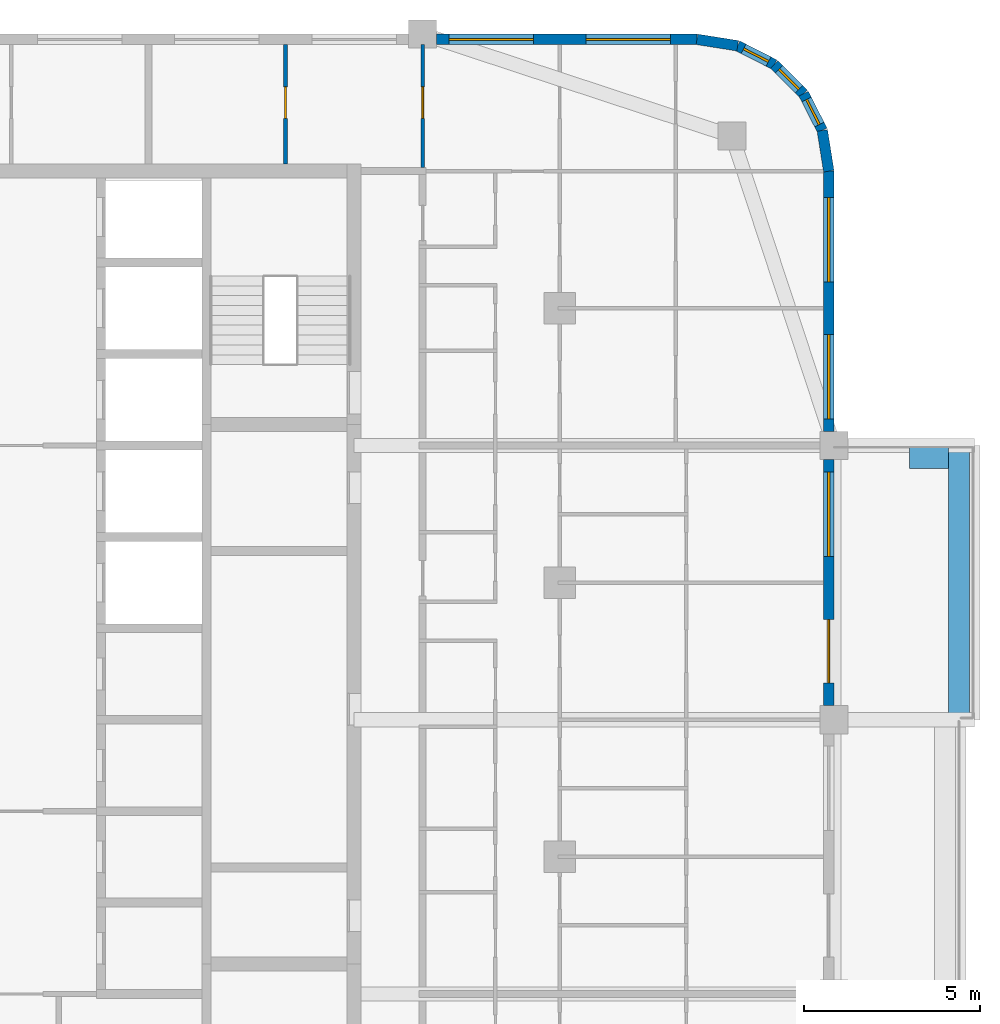
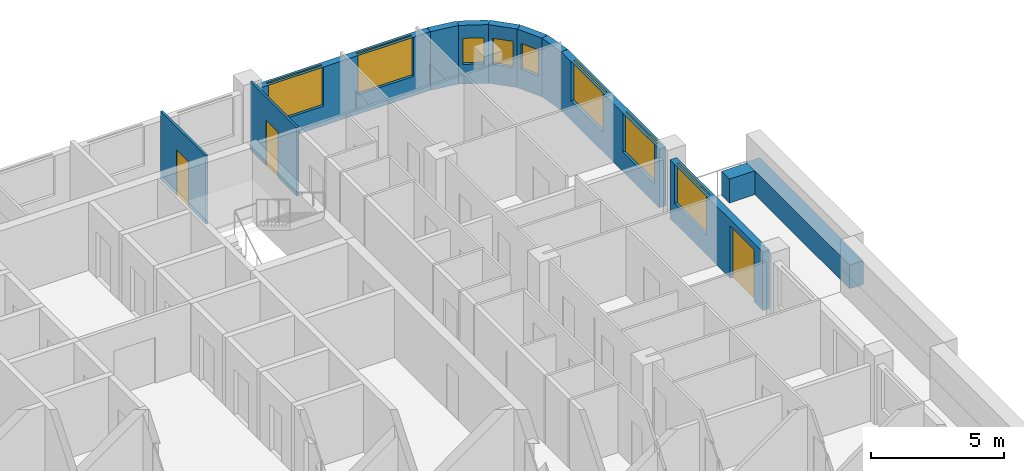
# One storey, part 12 of 17: 12 walls, 8 windows, 3 doors, 11 openings.
"""IFC4 building model written with IfcOpenShell, lengths in metres."""

from ifc_helpers import new_model, si_unit, direction, frame, frame_2d, origin, place, context, subcontext, project, spatial, rectangle, extrude, material, layer, layer_set, type_object, element, fill, save


model = new_model("IFC4")

# Units and contexts
model_context = context("Model", 3, precision=1e-05, world=origin(), true_north=direction((0.0, 1.0)))
body_context = subcontext(model_context, "Body", "Model", "MODEL_VIEW")
ifc_project = project(units=[si_unit("LENGTHUNIT", "METRE"), si_unit("AREAUNIT", "SQUARE_METRE"), si_unit("VOLUMEUNIT", "CUBIC_METRE"), si_unit("PLANEANGLEUNIT", "RADIAN"), si_unit("MASSUNIT", "GRAM", prefix="KILO")], contexts=[model_context])

# Site, building, storey
site_placement = place(None, origin())
site = spatial("IfcSite", under=ifc_project, at=site_placement, CompositionType="ELEMENT")
building_placement = place(site_placement, origin())
building = spatial("IfcBuilding", under=site, at=building_placement, Name="Ludao Terraces", CompositionType="ELEMENT")
storey_placement = place(building_placement, frame((0.0, 0.0, 231.300048828125)))
storey = spatial("IfcBuildingStorey", under=building, at=storey_placement, Name="L63", CompositionType="ELEMENT", Elevation=231.300048828125)

# Walls
ifc_material_1 = material(Name="Concrete C40", Category="concrete")
ifc_layer_1 = layer(ifc_material_1, 0.60009765625)
ifc_layer_set_1 = layer_set([ifc_layer_1], Name="ENV Planter trough 600")
wall_type_1 = type_object("IfcWallType", Name="ENV Planter trough 600", PredefinedType="USERDEFINED", material=ifc_layer_set_1)
wall_1_placement = place(storey_placement, frame((111.949951171875, 68.89990234375, 0.0), z_axis=(0.0, 0.0, 1.0), x_axis=(0.0, 1.0, 0.0)))
element("IfcWall", 1, at=wall_1_placement, inside=storey, type_object=wall_type_1, Name="PL-L63-E3", ObjectType="PLANTER", PredefinedType="USERDEFINED", context=body_context, shape_type="SweptSolid", body=[
    extrude(rectangle(XDim=7.800048828125, YDim=0.60009765625, at=frame_2d((3.89990234375, 0.0))), origin(), (0.0, 0.0, 1.0), 1.099853515625),
])
wall_2_placement = place(storey_placement, frame((111.64990234375, 76.35009765625, 0.0), z_axis=(0.0, 0.0, 1.0), x_axis=(-1.0, 0.0, 0.0)))
element("IfcWall", 2, at=wall_2_placement, inside=storey, type_object=wall_type_1, Name="PL-L63-E3-SB", ObjectType="PLANTER", PredefinedType="USERDEFINED", context=body_context, shape_type="SweptSolid", body=[
    extrude(rectangle(XDim=1.099853515625, YDim=0.60009765625, at=frame_2d((0.5498046875, 0.0))), origin(), (0.0, 0.0, 1.0), 1.099853515625),
])

# Wall, openings, door, window
ifc_material_2 = material(Name="Granite cladding", Category="masonry")
ifc_layer_2 = layer(ifc_material_2, 0.0400390625, Category="stone")
ifc_material_3 = material(Name="Mineral wool")
ifc_layer_3 = layer(ifc_material_3, 0.06005859375)
ifc_layer_4 = layer(ifc_material_1, 0.199951171875, Category="concrete")
ifc_layer_set_2 = layer_set([ifc_layer_2, ifc_layer_3, ifc_layer_4], Name="ENV Stone-clad wall 300")
wall_type_2 = type_object("IfcWallType", Name="ENV Stone-clad wall 300", PredefinedType="SOLIDWALL", material=ifc_layer_set_2)
wall_3_placement = place(storey_placement, frame((108.25, 69.300048828125, 0.0), z_axis=(0.0, 0.0, 1.0), x_axis=(0.0, 1.0, 0.0)))
wall_3 = element("IfcWall", 3, at=wall_3_placement, inside=storey, type_object=wall_type_2, Name="EW-L63-E4", PredefinedType="SOLIDWALL", context=body_context, shape_type="SweptSolid", body=[
    extrude(rectangle(XDim=7.0, YDim=0.300048828125, at=frame_2d((3.5, 0.0))), origin(), (0.0, 0.0, 1.0), 2.699951171875),
])
opening_1_placement = place(wall_3_placement, frame((0.64990234375, 0.0, 0.0)))
opening_1 = element("IfcOpeningElement", 4, at=opening_1_placement, cuts=wall_3, Name="Opening BD", PredefinedType="OPENING", context=body_context, shape_type="SweptSolid", body=[
    extrude(rectangle(XDim=1.800048828125, YDim=2.39990234375, at=frame_2d((0.89990234375, 1.199951171875))), frame((0.0, 0.16015625, 0.0), z_axis=(0.0, -1.0, 0.0), x_axis=(1.0, 0.0, 0.0)), (0.0, 0.0, 1.0), 0.320068359375),
])
opening_2_placement = place(wall_3_placement, frame((4.25, 0.0, 0.89990234375)))
opening_2 = element("IfcOpeningElement", 5, at=opening_2_placement, cuts=wall_3, Name="Opening W1", PredefinedType="OPENING", context=body_context, shape_type="SweptSolid", body=[
    extrude(rectangle(XDim=2.39990234375, YDim=1.800048828125, at=frame_2d((1.199951171875, 0.89990234375))), frame((0.0, 0.16015625, 0.0), z_axis=(0.0, -1.0, 0.0), x_axis=(1.0, 0.0, 0.0)), (0.0, 0.0, 1.0), 0.320068359375),
])
ifc_material_4 = material(Name="Aluminium glazed door", Category="aluminium")
ifc_layer_5 = layer(ifc_material_4, 0.06005859375)
ifc_layer_set_3 = layer_set([ifc_layer_5], Name="ENV Balcony door BD 1800x2400")
door_type_1 = type_object("IfcDoorType", Name="ENV Balcony door BD 1800x2400", OperationType="DOUBLE_DOOR_SINGLE_SWING", PredefinedType="DOOR", material=ifc_layer_set_3)
door_1_placement = place(opening_1_placement, origin())
door_1 = element("IfcDoor", 6, at=door_1_placement, inside=storey, type_object=door_type_1, Name="BD-L63-E4-1", OperationType="DOUBLE_DOOR_SINGLE_SWING", OverallHeight=2.39990234375, OverallWidth=1.800048828125, PredefinedType="DOOR", context=body_context, shape_type="SweptSolid", body=[
    extrude(rectangle(XDim=1.800048828125, YDim=2.39990234375, at=frame_2d((0.89990234375, 1.199951171875))), frame((0.0, 0.02490234375, 0.0), z_axis=(0.0, -1.0, 0.0), x_axis=(1.0, 0.0, 0.0)), (0.0, 0.0, 1.0), 0.050048828125),
])
fill(opening_1, door_1)
ifc_material_5 = material(Name="Clear glass in aluminium frame", Category="aluminium")
ifc_layer_6 = layer(ifc_material_5, 0.06005859375)
ifc_layer_set_4 = layer_set([ifc_layer_6], Name="ENV Window W1 2400x1800")
window_type_1 = type_object("IfcWindowType", Name="ENV Window W1 2400x1800", PartitioningType="DOUBLE_PANEL_VERTICAL", PredefinedType="WINDOW", material=ifc_layer_set_4)
window_1_placement = place(opening_2_placement, origin())
window_1 = element("IfcWindow", 7, at=window_1_placement, inside=storey, type_object=window_type_1, Name="W-L63-E4-2", OverallHeight=1.800048828125, OverallWidth=2.39990234375, PartitioningType="DOUBLE_PANEL_VERTICAL", PredefinedType="WINDOW", context=body_context, shape_type="SweptSolid", body=[
    extrude(rectangle(XDim=2.39990234375, YDim=1.800048828125, at=frame_2d((1.199951171875, 0.89990234375))), frame((0.0, 0.030029296875, 0.0), z_axis=(0.0, -1.0, 0.0), x_axis=(1.0, 0.0, 0.0)), (0.0, 0.0, 1.0), 0.06005859375),
])
fill(opening_2, window_1)

# Wall, openings, windows
wall_4_placement = place(storey_placement, frame((108.25, 77.10009765625, 0.0), z_axis=(0.0, 0.0, 1.0), x_axis=(0.0, 1.0, 0.0)))
wall_4 = element("IfcWall", 8, at=wall_4_placement, inside=storey, type_object=wall_type_2, Name="EW-L63-E5", PredefinedType="SOLIDWALL", context=body_context, shape_type="SweptSolid", body=[
    extrude(rectangle(XDim=7.39990234375, YDim=0.300048828125, at=frame_2d((3.699951171875, 0.0))), origin(), (0.0, 0.0, 1.0), 2.699951171875),
])
opening_3_placement = place(wall_4_placement, frame((0.35009765625, 0.0, 0.89990234375)))
opening_3 = element("IfcOpeningElement", 9, at=opening_3_placement, cuts=wall_4, Name="Opening W1", PredefinedType="OPENING", context=body_context, shape_type="SweptSolid", body=[
    extrude(rectangle(XDim=2.39990234375, YDim=1.800048828125, at=frame_2d((1.199951171875, 0.89990234375))), frame((0.0, 0.16015625, 0.0), z_axis=(0.0, -1.0, 0.0), x_axis=(1.0, 0.0, 0.0)), (0.0, 0.0, 1.0), 0.320068359375),
])
opening_4_placement = place(wall_4_placement, frame((4.25, 0.0, 0.89990234375)))
opening_4 = element("IfcOpeningElement", 10, at=opening_4_placement, cuts=wall_4, Name="Opening W1", PredefinedType="OPENING", context=body_context, shape_type="SweptSolid", body=[
    extrude(rectangle(XDim=2.39990234375, YDim=1.800048828125, at=frame_2d((1.199951171875, 0.89990234375))), frame((0.0, 0.16015625, 0.0), z_axis=(0.0, -1.0, 0.0), x_axis=(1.0, 0.0, 0.0)), (0.0, 0.0, 1.0), 0.320068359375),
])
window_2_placement = place(opening_3_placement, origin())
window_2 = element("IfcWindow", 11, at=window_2_placement, inside=storey, type_object=window_type_1, Name="W-L63-E5-1", OverallHeight=1.800048828125, OverallWidth=2.39990234375, PartitioningType="DOUBLE_PANEL_VERTICAL", PredefinedType="WINDOW", context=body_context, shape_type="SweptSolid", body=[
    extrude(rectangle(XDim=2.39990234375, YDim=1.800048828125, at=frame_2d((1.199951171875, 0.89990234375))), frame((0.0, 0.030029296875, 0.0), z_axis=(0.0, -1.0, 0.0), x_axis=(1.0, 0.0, 0.0)), (0.0, 0.0, 1.0), 0.06005859375),
])
fill(opening_3, window_2)
window_3_placement = place(opening_4_placement, origin())
window_3 = element("IfcWindow", 12, at=window_3_placement, inside=storey, type_object=window_type_1, Name="W-L63-E5-2", OverallHeight=1.800048828125, OverallWidth=2.39990234375, PartitioningType="DOUBLE_PANEL_VERTICAL", PredefinedType="WINDOW", context=body_context, shape_type="SweptSolid", body=[
    extrude(rectangle(XDim=2.39990234375, YDim=1.800048828125, at=frame_2d((1.199951171875, 0.89990234375))), frame((0.0, 0.030029296875, 0.0), z_axis=(0.0, -1.0, 0.0), x_axis=(1.0, 0.0, 0.0)), (0.0, 0.0, 1.0), 0.06005859375),
])
fill(opening_4, window_3)

wall_5_placement = place(storey_placement, frame((97.10009765625, 88.25, 0.0), z_axis=(0.0, 0.0, 1.0), x_axis=(1.0, 0.0, 0.0)))
wall_5 = element("IfcWall", 13, at=wall_5_placement, inside=storey, type_object=wall_type_2, Name="EW-L63-N3", PredefinedType="SOLIDWALL", context=body_context, shape_type="SweptSolid", body=[
    extrude(rectangle(XDim=7.39990234375, YDim=0.300048828125, at=frame_2d((3.699951171875, 0.0))), origin(), (0.0, 0.0, 1.0), 2.699951171875),
])
opening_5_placement = place(wall_5_placement, frame((0.35009765625, 0.0, 0.89990234375)))
opening_5 = element("IfcOpeningElement", 14, at=opening_5_placement, cuts=wall_5, Name="Opening W1", PredefinedType="OPENING", context=body_context, shape_type="SweptSolid", body=[
    extrude(rectangle(XDim=2.39990234375, YDim=1.800048828125, at=frame_2d((1.199951171875, 0.89990234375))), frame((0.0, 0.16015625, 0.0), z_axis=(0.0, -1.0, 0.0), x_axis=(1.0, 0.0, 0.0)), (0.0, 0.0, 1.0), 0.320068359375),
])
opening_6_placement = place(wall_5_placement, frame((4.25, 0.0, 0.89990234375)))
opening_6 = element("IfcOpeningElement", 15, at=opening_6_placement, cuts=wall_5, Name="Opening W1", PredefinedType="OPENING", context=body_context, shape_type="SweptSolid", body=[
    extrude(rectangle(XDim=2.39990234375, YDim=1.800048828125, at=frame_2d((1.199951171875, 0.89990234375))), frame((0.0, 0.16015625, 0.0), z_axis=(0.0, -1.0, 0.0), x_axis=(1.0, 0.0, 0.0)), (0.0, 0.0, 1.0), 0.320068359375),
])
window_4_placement = place(opening_5_placement, origin())
window_4 = element("IfcWindow", 16, at=window_4_placement, inside=storey, type_object=window_type_1, Name="W-L63-N3-1", OverallHeight=1.800048828125, OverallWidth=2.39990234375, PartitioningType="DOUBLE_PANEL_VERTICAL", PredefinedType="WINDOW", context=body_context, shape_type="SweptSolid", body=[
    extrude(rectangle(XDim=2.39990234375, YDim=1.800048828125, at=frame_2d((1.199951171875, 0.89990234375))), frame((0.0, 0.030029296875, 0.0), z_axis=(0.0, -1.0, 0.0), x_axis=(1.0, 0.0, 0.0)), (0.0, 0.0, 1.0), 0.06005859375),
])
fill(opening_5, window_4)
window_5_placement = place(opening_6_placement, origin())
window_5 = element("IfcWindow", 17, at=window_5_placement, inside=storey, type_object=window_type_1, Name="W-L63-N3-2", OverallHeight=1.800048828125, OverallWidth=2.39990234375, PartitioningType="DOUBLE_PANEL_VERTICAL", PredefinedType="WINDOW", context=body_context, shape_type="SweptSolid", body=[
    extrude(rectangle(XDim=2.39990234375, YDim=1.800048828125, at=frame_2d((1.199951171875, 0.89990234375))), frame((0.0, 0.030029296875, 0.0), z_axis=(0.0, -1.0, 0.0), x_axis=(1.0, 0.0, 0.0)), (0.0, 0.0, 1.0), 0.06005859375),
])
fill(opening_6, window_5)

# Wall
wall_6_placement = place(storey_placement, frame((108.25, 84.5, 0.0), z_axis=(0.0, 0.0, 1.0), x_axis=(-0.156496880861, 0.987678452879, 0.0)))
element("IfcWall", 18, at=wall_6_placement, inside=storey, type_object=wall_type_2, Name="EW-L63-NE1", PredefinedType="SOLIDWALL", context=body_context, shape_type="SweptSolid", body=[
    extrude(rectangle(XDim=1.173095703125, YDim=0.300048828125, at=frame_2d((0.58642578125, 0.0))), origin(), (0.0, 0.0, 1.0), 2.699951171875),
])

# Wall, opening, window
wall_7_placement = place(storey_placement, frame((108.06640625, 85.65869140625, 0.0), z_axis=(0.0, 0.0, 1.0), x_axis=(-0.454025524128, 0.890988677504, 0.0)))
wall_7 = element("IfcWall", 19, at=wall_7_placement, inside=storey, type_object=wall_type_2, Name="EW-L63-NE2", PredefinedType="SOLIDWALL", context=body_context, shape_type="SweptSolid", body=[
    extrude(rectangle(XDim=1.17333984375, YDim=0.300048828125, at=frame_2d((0.586669921875, 0.0))), origin(), (0.0, 0.0, 1.0), 2.699951171875),
])
opening_7_placement = place(wall_7_placement, frame((0.1865234375, 0.0, 0.89990234375)))
opening_7 = element("IfcOpeningElement", 20, at=opening_7_placement, cuts=wall_7, Name="Opening W3", PredefinedType="OPENING", context=body_context, shape_type="SweptSolid", body=[
    extrude(rectangle(XDim=0.800048828125, YDim=1.199951171875, at=frame_2d((0.39990234375, 0.60009765625))), frame((0.0, 0.16015625, 0.0), z_axis=(0.0, -1.0, 0.0), x_axis=(1.0, 0.0, 0.0)), (0.0, 0.0, 1.0), 0.320068359375),
])
ifc_layer_7 = layer(ifc_material_5, 0.06005859375)
ifc_layer_set_5 = layer_set([ifc_layer_7], Name="ENV Window W3 800x1200")
window_type_2 = type_object("IfcWindowType", Name="ENV Window W3 800x1200", PartitioningType="SINGLE_PANEL", PredefinedType="WINDOW", material=ifc_layer_set_5)
window_6_placement = place(opening_7_placement, origin())
window_6 = element("IfcWindow", 21, at=window_6_placement, inside=storey, type_object=window_type_2, Name="W-L63-NE2", OverallHeight=1.199951171875, OverallWidth=0.800048828125, PartitioningType="SINGLE_PANEL", PredefinedType="WINDOW", context=body_context, shape_type="SweptSolid", body=[
    extrude(rectangle(XDim=0.800048828125, YDim=1.199951171875, at=frame_2d((0.39990234375, 0.60009765625))), frame((0.0, 0.030029296875, 0.0), z_axis=(0.0, -1.0, 0.0), x_axis=(1.0, 0.0, 0.0)), (0.0, 0.0, 1.0), 0.06005859375),
])
fill(opening_7, window_6)

wall_8_placement = place(storey_placement, frame((107.53369140625, 86.7041015625, 0.0), z_axis=(0.0, 0.0, 1.0), x_axis=(-0.707106781187, 0.707106781187, 0.0)))
wall_8 = element("IfcWall", 22, at=wall_8_placement, inside=storey, type_object=wall_type_2, Name="EW-L63-NE3", PredefinedType="SOLIDWALL", context=body_context, shape_type="SweptSolid", body=[
    extrude(rectangle(XDim=1.173095703125, YDim=0.300048828125, at=frame_2d((0.58642578125, 0.0))), origin(), (0.0, 0.0, 1.0), 2.699951171875),
])
opening_8_placement = place(wall_8_placement, frame((0.1865234375, 0.0, 0.89990234375)))
opening_8 = element("IfcOpeningElement", 23, at=opening_8_placement, cuts=wall_8, Name="Opening W3", PredefinedType="OPENING", context=body_context, shape_type="SweptSolid", body=[
    extrude(rectangle(XDim=0.800048828125, YDim=1.199951171875, at=frame_2d((0.39990234375, 0.60009765625))), frame((0.0, 0.16015625, 0.0), z_axis=(0.0, -1.0, 0.0), x_axis=(1.0, 0.0, 0.0)), (0.0, 0.0, 1.0), 0.320068359375),
])
window_7_placement = place(opening_8_placement, origin())
window_7 = element("IfcWindow", 24, at=window_7_placement, inside=storey, type_object=window_type_2, Name="W-L63-NE3", OverallHeight=1.199951171875, OverallWidth=0.800048828125, PartitioningType="SINGLE_PANEL", PredefinedType="WINDOW", context=body_context, shape_type="SweptSolid", body=[
    extrude(rectangle(XDim=0.800048828125, YDim=1.199951171875, at=frame_2d((0.39990234375, 0.60009765625))), frame((0.0, 0.030029296875, 0.0), z_axis=(0.0, -1.0, 0.0), x_axis=(1.0, 0.0, 0.0)), (0.0, 0.0, 1.0), 0.06005859375),
])
fill(opening_8, window_7)

wall_9_placement = place(storey_placement, frame((106.7041015625, 87.53369140625, 0.0), z_axis=(0.0, 0.0, 1.0), x_axis=(-0.890988677504, 0.454025524128, 0.0)))
wall_9 = element("IfcWall", 25, at=wall_9_placement, inside=storey, type_object=wall_type_2, Name="EW-L63-NE4", PredefinedType="SOLIDWALL", context=body_context, shape_type="SweptSolid", body=[
    extrude(rectangle(XDim=1.17333984375, YDim=0.300048828125, at=frame_2d((0.586669921875, 0.0))), origin(), (0.0, 0.0, 1.0), 2.699951171875),
])
opening_9_placement = place(wall_9_placement, frame((0.1865234375, 0.0, 0.89990234375)))
opening_9 = element("IfcOpeningElement", 26, at=opening_9_placement, cuts=wall_9, Name="Opening W3", PredefinedType="OPENING", context=body_context, shape_type="SweptSolid", body=[
    extrude(rectangle(XDim=0.800048828125, YDim=1.199951171875, at=frame_2d((0.39990234375, 0.60009765625))), frame((0.0, 0.16015625, 0.0), z_axis=(0.0, -1.0, 0.0), x_axis=(1.0, 0.0, 0.0)), (0.0, 0.0, 1.0), 0.320068359375),
])
window_8_placement = place(opening_9_placement, origin())
window_8 = element("IfcWindow", 27, at=window_8_placement, inside=storey, type_object=window_type_2, Name="W-L63-NE4", OverallHeight=1.199951171875, OverallWidth=0.800048828125, PartitioningType="SINGLE_PANEL", PredefinedType="WINDOW", context=body_context, shape_type="SweptSolid", body=[
    extrude(rectangle(XDim=0.800048828125, YDim=1.199951171875, at=frame_2d((0.39990234375, 0.60009765625))), frame((0.0, 0.030029296875, 0.0), z_axis=(0.0, -1.0, 0.0), x_axis=(1.0, 0.0, 0.0)), (0.0, 0.0, 1.0), 0.06005859375),
])
fill(opening_9, window_8)

# Wall
wall_10_placement = place(storey_placement, frame((105.65869140625, 88.06640625, 0.0), z_axis=(0.0, 0.0, 1.0), x_axis=(-0.987678452879, 0.156496880861, 0.0)))
element("IfcWall", 28, at=wall_10_placement, inside=storey, type_object=wall_type_2, Name="EW-L63-NE5", PredefinedType="SOLIDWALL", context=body_context, shape_type="SweptSolid", body=[
    extrude(rectangle(XDim=1.173095703125, YDim=0.300048828125, at=frame_2d((0.58642578125, 0.0))), origin(), (0.0, 0.0, 1.0), 2.699951171875),
])

# Wall, opening, door
ifc_material_6 = material(Name="Gypsum plasterboard", Category="gypsum")
ifc_layer_8 = layer(ifc_material_6, 0.012451171875, Category="gypsum")
ifc_layer_9 = layer(ifc_material_3, 0.06005859375, Name="insulation")
ifc_material_7 = material(Name="Steel Q235", Category="steel")
ifc_layer_10 = layer(ifc_material_7, 0.014892578125, Name="stud")
ifc_layer_11 = layer(ifc_material_6, 0.012451171875, Category="gypsum")
ifc_layer_set_6 = layer_set([ifc_layer_8, ifc_layer_9, ifc_layer_10, ifc_layer_11], Name="INT Partition 100")
wall_type_3 = type_object("IfcWallType", Name="INT Partition 100", PredefinedType="PARTITIONING", material=ifc_layer_set_6)
wall_11_placement = place(storey_placement, frame((92.800048828125, 84.7001953125, 0.0), z_axis=(0.0, 0.0, 1.0), x_axis=(0.0, 1.0, 0.0)))
wall_11 = element("IfcWall", 29, at=wall_11_placement, inside=storey, type_object=wall_type_3, Name="PW-L63-PW087", PredefinedType="PARTITIONING", context=body_context, shape_type="SweptSolid", body=[
    extrude(rectangle(XDim=3.39990234375, YDim=0.10009765625, at=frame_2d((1.699951171875, 0.0))), origin(), (0.0, 0.0, 1.0), 3.14990234375),
])
opening_10_placement = place(wall_11_placement, frame((1.2998046875, 0.0, 0.0)))
opening_10 = element("IfcOpeningElement", 30, at=opening_10_placement, cuts=wall_11, Name="Opening R22-137", PredefinedType="OPENING", context=body_context, shape_type="SweptSolid", body=[
    extrude(rectangle(XDim=0.89990234375, YDim=2.10009765625, at=frame_2d((0.449951171875, 1.050048828125))), frame((0.0, 0.06005859375, 0.0), z_axis=(0.0, -1.0, 0.0), x_axis=(1.0, 0.0, 0.0)), (0.0, 0.0, 1.0), 0.1201171875),
])
ifc_material_8 = material(Name="Timber door leaf", Category="wood")
door_type_2 = type_object("IfcDoorType", Name="INT Room door 900", OperationType="SINGLE_SWING_LEFT", PredefinedType="DOOR", material=ifc_material_8)
door_2_placement = place(opening_10_placement, origin())
door_2 = element("IfcDoor", 31, at=door_2_placement, inside=storey, type_object=door_type_2, Name="DOOR 137", OperationType="SINGLE_SWING_RIGHT", OverallHeight=2.10009765625, OverallWidth=0.89990234375, PredefinedType="DOOR", context=body_context, shape_type="SweptSolid", body=[
    extrude(rectangle(XDim=0.89990234375, YDim=2.10009765625, at=frame_2d((0.449951171875, 1.050048828125))), frame((0.0, 0.02490234375, 0.0), z_axis=(0.0, -1.0, 0.0), x_axis=(1.0, 0.0, 0.0)), (0.0, 0.0, 1.0), 0.050048828125),
])
fill(opening_10, door_2)

wall_12_placement = place(storey_placement, frame((96.699951171875, 84.60009765625, 0.0), z_axis=(0.0, 0.0, 1.0), x_axis=(0.0, 1.0, 0.0)))
wall_12 = element("IfcWall", 32, at=wall_12_placement, inside=storey, type_object=wall_type_3, Name="PW-L63-PW090", PredefinedType="PARTITIONING", context=body_context, shape_type="SweptSolid", body=[
    extrude(rectangle(XDim=3.5, YDim=0.10009765625, at=frame_2d((1.75, 0.0))), origin(), (0.0, 0.0, 1.0), 3.14990234375),
])
opening_11_placement = place(wall_12_placement, frame((1.39990234375, 0.0, 0.0)))
opening_11 = element("IfcOpeningElement", 33, at=opening_11_placement, cuts=wall_12, Name="Opening R22-138", PredefinedType="OPENING", context=body_context, shape_type="SweptSolid", body=[
    extrude(rectangle(XDim=0.89990234375, YDim=2.10009765625, at=frame_2d((0.449951171875, 1.050048828125))), frame((0.0, 0.06005859375, 0.0), z_axis=(0.0, -1.0, 0.0), x_axis=(1.0, 0.0, 0.0)), (0.0, 0.0, 1.0), 0.1201171875),
])
door_3_placement = place(opening_11_placement, origin())
door_3 = element("IfcDoor", 34, at=door_3_placement, inside=storey, type_object=door_type_2, Name="DOOR 138", OperationType="SINGLE_SWING_RIGHT", OverallHeight=2.10009765625, OverallWidth=0.89990234375, PredefinedType="DOOR", context=body_context, shape_type="SweptSolid", body=[
    extrude(rectangle(XDim=0.89990234375, YDim=2.10009765625, at=frame_2d((0.449951171875, 1.050048828125))), frame((0.0, 0.02490234375, 0.0), z_axis=(0.0, -1.0, 0.0), x_axis=(1.0, 0.0, 0.0)), (0.0, 0.0, 1.0), 0.050048828125),
])
fill(opening_11, door_3)

save(model, "model.ifc")
